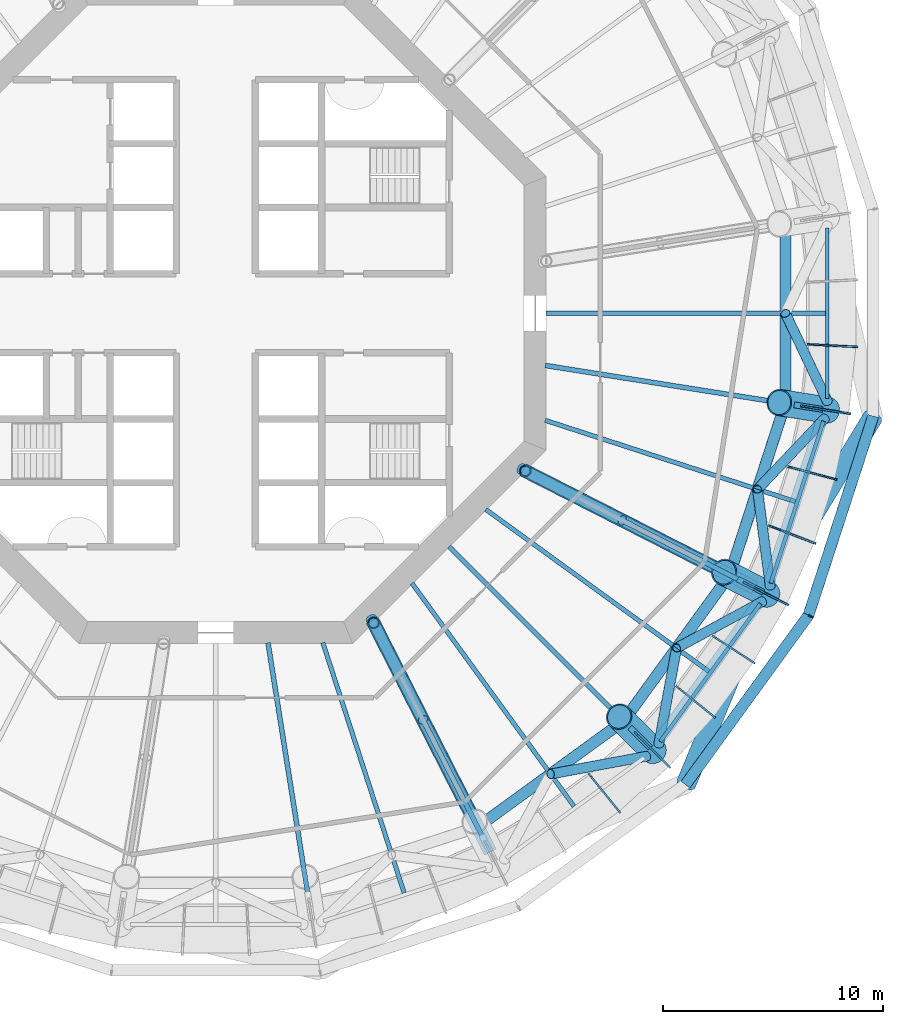
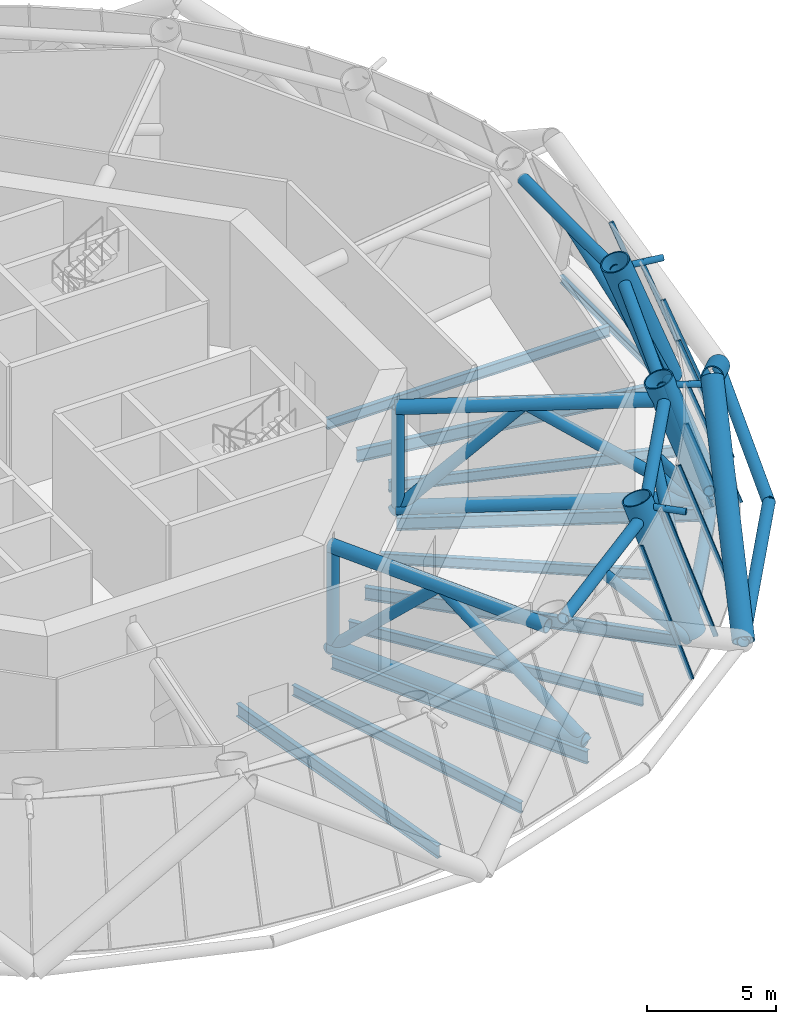
# One storey, part 3 of 15: 41 members, 13 beams, 4 elements without a shape of their own.
"""IFC4 building model written with IfcOpenShell, lengths in metres."""

from ifc_helpers import new_model, si_unit, direction, frame, origin, origin_2d, place, context, subcontext, project, spatial, rectangle, circle, hollow_circle, i_section, extrude, material, layer, layer_set, material_profile, profile_set, type_object, element, aggregate, save


model = new_model("IFC4")

# Units and contexts
model_context = context("Model", 3, precision=1e-05, world=origin(), true_north=direction((0.0, 1.0)))
body_context = subcontext(model_context, "Body", "Model", "MODEL_VIEW")
ifc_project = project(units=[si_unit("LENGTHUNIT", "METRE"), si_unit("AREAUNIT", "SQUARE_METRE"), si_unit("VOLUMEUNIT", "CUBIC_METRE"), si_unit("PLANEANGLEUNIT", "RADIAN"), si_unit("MASSUNIT", "GRAM", prefix="KILO")], contexts=[model_context])

# Site, building, storey
site_placement = place(None, origin())
site = spatial("IfcSite", under=ifc_project, at=site_placement, CompositionType="ELEMENT")
building_placement = place(site_placement, origin())
building = spatial("IfcBuilding", under=site, at=building_placement, Name="Entoto Ring Tower", CompositionType="ELEMENT")
storey_placement = place(building_placement, frame((0.0, 0.0, 200.0)))
storey = spatial("IfcBuildingStorey", under=building, at=storey_placement, Name="L46", CompositionType="ELEMENT", Elevation=200.0)

# Members
ifc_material_1 = material(Name="Steel S355", Category="steel")
ifc_material_profile_1 = material_profile(ifc_material_1, hollow_circle(Radius=0.449951171875, WallThickness=0.044921875, at=origin_2d()), Name="CHS 900 x 45")
ifc_material_2 = material(Name="Concrete C60/75", Category="concrete")
ifc_material_profile_2 = material_profile(ifc_material_2, circle(Radius=0.405029296875, at=origin_2d()), Name="Concrete C60/75 infill")
ifc_profile_set_1 = profile_set([ifc_material_profile_1, ifc_material_profile_2], Name="Steel S355")
member_type_1 = type_object("IfcMemberType", Name="Diagrid diagonal 900 x 45 concrete-filled tube", PredefinedType="BRACE", material=ifc_profile_set_1)
member_1_placement = place(storey_placement, frame((111.354736328125, 58.645263671875, 0.0), z_axis=(0.323207345717, 0.777375260078, 0.539652403584), x_axis=(-0.923371430123, 0.383907804078, 0.0)))
element("IfcMember", 1, at=member_1_placement, inside=storey, type_object=member_type_1, Name="DG2 module 14 18", PredefinedType="BRACE", context=body_context, shape_type="SweptSolid", body=[
    extrude(hollow_circle(Radius=0.449951171875, WallThickness=0.044921875, at=origin_2d()), origin(), (0.0, 0.0, 1.0), 11.1181640625),
])
member_2_placement = place(storey_placement, frame((119.828125, 75.275634765625, 0.0), z_axis=(-0.438916670262, -0.718410935775, 0.539664603179), x_axis=(0.853341145652, -0.521352941047, 0.0)))
element("IfcMember", 2, at=member_2_placement, inside=storey, type_object=member_type_1, Name="DG2 module 14 19", PredefinedType="BRACE", context=body_context, shape_type="SweptSolid", body=[
    extrude(hollow_circle(Radius=0.449951171875, WallThickness=0.044921875, at=origin_2d()), origin(), (0.0, 0.0, 1.0), 11.117919921875),
])
ifc_material_3 = material(Name="Steel S355", Category="steel")
ifc_material_profile_3 = material_profile(ifc_material_3, hollow_circle(Radius=0.136474609375, WallThickness=0.012451171875, at=origin_2d()), Name="CHS 273 x 12.5")
ifc_material_4 = material(Name="Concrete C60/75", Category="concrete")
ifc_material_profile_4 = material_profile(ifc_material_4, circle(Radius=0.1240234375, at=origin_2d()), Name="Concrete C60/75 infill")
ifc_profile_set_2 = profile_set([ifc_material_profile_3, ifc_material_profile_4], Name="Steel S355")
member_type_2 = type_object("IfcMemberType", Name="Diagrid node strut 273 x 12.5", PredefinedType="STRUT", material=ifc_profile_set_2)
member_3_placement = place(storey_placement, frame((108.798583984375, 61.201416015625, 5.71337890625), z_axis=(0.707106781187, -0.707106781187, 0.0), x_axis=(0.707106781187, 0.707106781187, 0.0)))
element("IfcMember", 3, at=member_3_placement, inside=storey, type_object=member_type_2, Name="DS2 strut ring 14 18", PredefinedType="STRUT", context=body_context, shape_type="SweptSolid", body=[
    extrude(hollow_circle(Radius=0.136474609375, WallThickness=0.012451171875, at=origin_2d()), origin(), (0.0, 0.0, 1.0), 1.314697265625),
])
member_4_placement = place(storey_placement, frame((113.6875, 67.9306640625, 5.71337890625), z_axis=(0.891022493252, -0.453959157325, 0.0), x_axis=(0.453959157325, 0.891022493252, 0.0)))
element("IfcMember", 4, at=member_4_placement, inside=storey, type_object=member_type_2, Name="DS2 strut ring 14 19", PredefinedType="STRUT", context=body_context, shape_type="SweptSolid", body=[
    extrude(hollow_circle(Radius=0.136474609375, WallThickness=0.012451171875, at=origin_2d()), origin(), (0.0, 0.0, 1.0), 1.31494140625),
])
member_5_placement = place(storey_placement, frame((116.2578125, 75.841064453125, 5.71337890625), z_axis=(0.987701157576, -0.156353520338, 0.0), x_axis=(0.156353520338, 0.987701157576, 0.0)))
element("IfcMember", 5, at=member_5_placement, inside=storey, type_object=member_type_2, Name="DS2 strut ring 14 20", PredefinedType="STRUT", context=body_context, shape_type="SweptSolid", body=[
    extrude(hollow_circle(Radius=0.136474609375, WallThickness=0.012451171875, at=origin_2d()), origin(), (0.0, 0.0, 1.0), 1.314697265625),
])
ifc_material_5 = material(Name="Steel S355", Category="steel")
ifc_material_profile_5 = material_profile(ifc_material_5, hollow_circle(Radius=0.25390625, WallThickness=0.030029296875, at=origin_2d()), Name="CHS 508 x 30")
ifc_material_6 = material(Name="Concrete C60/75", Category="concrete")
ifc_material_profile_6 = material_profile(ifc_material_6, circle(Radius=0.22412109375, at=origin_2d()), Name="Concrete C60/75 infill")
ifc_profile_set_3 = profile_set([ifc_material_profile_5, ifc_material_profile_6], Name="Steel S355")
member_type_3 = type_object("IfcMemberType", Name="Diagrid ring beam 508 x 30", PredefinedType="CHORD", material=ifc_profile_set_3)
for number, where, z_axis, x_axis, name in (
    (6, (111.3193359375, 58.5966796875, 0.0), (0.587786303985, 0.809016230274, 0.0), (-0.809016230274, 0.587786303985, 0.0), "DR2 ring 13 17"),
    (7, (116.889892578125, 66.232177734375, 0.0), (0.308993189852, 0.951064250524, 0.0), (-0.951064250524, 0.308993189852, 0.0), "DR2 ring 13 18"),
):
    element("IfcMember", number, at=place(storey_placement, frame(where, z_axis=z_axis, x_axis=x_axis)), inside=storey, type_object=member_type_3, Name=name, PredefinedType="CHORD", context=body_context, shape_type="SweptSolid", body=[
        extrude(hollow_circle(Radius=0.25390625, WallThickness=0.030029296875, at=origin_2d()), origin(), (0.0, 0.0, 1.0), 9.569091796875),
    ])

# Beams
ifc_material_7 = material(Name="Steel S355", Category="steel")
ifc_material_profile_7 = material_profile(ifc_material_7, i_section(OverallWidth=0.169921875, OverallDepth=0.360107421875, WebThickness=0.008056640625, FlangeThickness=0.0126953125, FilletRadius=0.01806640625, at=origin_2d()), Name="IPE 360")
ifc_profile_set_4 = profile_set([ifc_material_profile_7], Name="Steel S355")
beam_type_1 = type_object("IfcBeamType", Name="Edge beam IPE 360", PredefinedType="SPANDREL", material=ifc_profile_set_4)
for number, where, z_axis, x_axis, name in (
    (8, (110.17724609375, 60.5537109375, -0.330078125), (0.587791153253, 0.809012707043, 0.0), (-0.809012707043, 0.587791153253, 0.0), "Edge beam L46 18"),
    (9, (115.198974609375, 67.740478515625, -0.330078125), (0.309012656105, 0.951057925874, 0.0), (-0.951057925874, 0.309012656105, 0.0), "Edge beam L46 19"),
    (10, (117.754150390625, 76.12744140625, -0.330078125), (0.0, 1.0, 0.0), (-1.0, 0.0, 0.0), "Edge beam L46 20"),
):
    element("IfcBeam", number, at=place(storey_placement, frame(where, z_axis=z_axis, x_axis=x_axis)), inside=storey, type_object=beam_type_1, Name=name, PredefinedType="SPANDREL", context=body_context, shape_type="SweptSolid", body=[
        extrude(i_section(OverallWidth=0.169921875, OverallDepth=0.360107421875, WebThickness=0.008056640625, FlangeThickness=0.0126953125, FilletRadius=0.01806640625, at=origin_2d()), origin(), (0.0, 0.0, 1.0), 7.7451171875),
    ])

# Curtain wall, member
ifc_material_8 = material(Name="Anodised aluminium", Category="aluminium")
ifc_layer = layer(ifc_material_8, 0.10009765625)
ifc_layer_set = layer_set([ifc_layer], Name="Anodised aluminium")
curtain_wall_type = type_object("IfcCurtainWallType", Name="Louvre curtain wall system CW7", PredefinedType="NOTDEFINED", material=ifc_layer_set)
curtain_wall_1_placement = place(storey_placement, origin())
curtain_wall_1 = element("IfcCurtainWall", 11, at=curtain_wall_1_placement, inside=storey, type_object=curtain_wall_type, Name="CW7 L46-17", PredefinedType="NOTDEFINED")
ifc_material_9 = material(Name="Anodised aluminium", Category="aluminium")
ifc_material_profile_8 = material_profile(ifc_material_9, rectangle(XDim=0.080078125, YDim=0.199951171875, at=origin_2d()), Name="Mullion 80 x 200 mm anodised aluminium")
ifc_profile_set_5 = profile_set([ifc_material_profile_8], Name="Anodised aluminium")
member_type_4 = type_object("IfcMemberType", Name="Mullion 80 x 200 mm anodised aluminium", PredefinedType="MULLION", material=ifc_profile_set_5)
member_6_placement = place(storey_placement, frame((108.309326171875, 57.389892578125, 0.034423828125), z_axis=(-0.216641306561, 0.267510778801, 0.938884725361), x_axis=(-0.777124153348, -0.629347320868, 0.0)))
member_6 = element("IfcMember", 12, at=member_6_placement, type_object=member_type_4, Name="MULLION L46-50", PredefinedType="MULLION", context=body_context, shape_type="SweptSolid", body=[
    extrude(rectangle(XDim=0.080078125, YDim=0.199951171875, at=origin_2d()), origin(), (0.0, 0.0, 1.0), 6.157470703125),
])
aggregate(curtain_wall_1, [member_6])

# Curtain wall, members
curtain_wall_2_placement = place(storey_placement, origin())
curtain_wall_2 = element("IfcCurtainWall", 13, at=curtain_wall_2_placement, inside=storey, type_object=curtain_wall_type, Name="CW7 L46-18", PredefinedType="NOTDEFINED")
member_7_placement = place(storey_placement, frame((110.572509765625, 59.427490234375, 0.034423828125), z_axis=(-0.243439738428, 0.243439738428, 0.938868567749), x_axis=(-0.707106781187, -0.707106781187, 0.0)))
member_7 = element("IfcMember", 14, at=member_7_placement, type_object=member_type_4, Name="MULLION L46-51", PredefinedType="MULLION", context=body_context, shape_type="SweptSolid", body=[
    extrude(rectangle(XDim=0.080078125, YDim=0.199951171875, at=origin_2d()), origin(), (0.0, 0.0, 1.0), 6.15771484375),
])
member_8_placement = place(storey_placement, frame((112.610107421875, 61.690673828125, 0.034423828125), z_axis=(-0.267510778801, 0.216641306561, 0.938884725361), x_axis=(-0.629347320868, -0.777124153348, 0.0)))
member_8 = element("IfcMember", 15, at=member_8_placement, type_object=member_type_4, Name="MULLION L46-52", PredefinedType="MULLION", context=body_context, shape_type="SweptSolid", body=[
    extrude(rectangle(XDim=0.080078125, YDim=0.199951171875, at=origin_2d()), origin(), (0.0, 0.0, 1.0), 6.157470703125),
])
member_9_placement = place(storey_placement, frame((114.400146484375, 64.154296875, 0.034423828125), z_axis=(-0.288719812628, 0.187497389991, 0.938874644744), x_axis=(-0.544640161527, -0.838669836379, 0.0)))
member_9 = element("IfcMember", 16, at=member_9_placement, type_object=member_type_4, Name="MULLION L46-53", PredefinedType="MULLION", context=body_context, shape_type="SweptSolid", body=[
    extrude(rectangle(XDim=0.080078125, YDim=0.199951171875, at=origin_2d()), origin(), (0.0, 0.0, 1.0), 6.15771484375),
])
aggregate(curtain_wall_2, [member_7, member_8, member_9])

curtain_wall_3_placement = place(storey_placement, origin())
curtain_wall_3 = element("IfcCurtainWall", 17, at=curtain_wall_3_placement, inside=storey, type_object=curtain_wall_type, Name="CW7 L46-19", PredefinedType="NOTDEFINED")
member_10_placement = place(storey_placement, frame((115.9228515625, 66.791748046875, 0.034423828125), z_axis=(-0.30672352053, 0.156256126475, 0.938884819822), x_axis=(-0.453927506851, -0.891038617863, 0.0)))
member_10 = element("IfcMember", 18, at=member_10_placement, type_object=member_type_4, Name="MULLION L46-54", PredefinedType="MULLION", context=body_context, shape_type="SweptSolid", body=[
    extrude(rectangle(XDim=0.080078125, YDim=0.199951171875, at=origin_2d()), origin(), (0.0, 0.0, 1.0), 6.157470703125),
])
member_11_placement = place(storey_placement, frame((117.161376953125, 69.57373046875, 0.034423828125), z_axis=(-0.321355925032, 0.123348338405, 0.938890598983), x_axis=(-0.358346063241, -0.933588827568, 0.0)))
member_11 = element("IfcMember", 19, at=member_11_placement, type_object=member_type_4, Name="MULLION L46-55", PredefinedType="MULLION", context=body_context, shape_type="SweptSolid", body=[
    extrude(rectangle(XDim=0.080078125, YDim=0.199951171875, at=origin_2d()), origin(), (0.0, 0.0, 1.0), 6.157470703125),
])
member_12_placement = place(storey_placement, frame((118.1025390625, 72.469970703125, 0.034423828125), z_axis=(-0.332531368364, 0.089090018447, 0.938874782741), x_axis=(-0.258787896113, -0.965934172097, 0.0)))
member_12 = element("IfcMember", 20, at=member_12_placement, type_object=member_type_4, Name="MULLION L46-56", PredefinedType="MULLION", context=body_context, shape_type="SweptSolid", body=[
    extrude(rectangle(XDim=0.080078125, YDim=0.199951171875, at=origin_2d()), origin(), (0.0, 0.0, 1.0), 6.15771484375),
])
aggregate(curtain_wall_3, [member_10, member_11, member_12])

curtain_wall_4_placement = place(storey_placement, origin())
curtain_wall_4 = element("IfcCurtainWall", 21, at=curtain_wall_4_placement, inside=storey, type_object=curtain_wall_type, Name="CW7 L46-20", PredefinedType="NOTDEFINED")
member_13_placement = place(storey_placement, frame((118.735595703125, 75.44873046875, 0.034423828125), z_axis=(-0.339989545679, 0.053843242336, 0.938886582119), x_axis=(-0.156417995192, -0.987690949022, 0.0)))
member_13 = element("IfcMember", 22, at=member_13_placement, type_object=member_type_4, Name="MULLION L46-57", PredefinedType="MULLION", context=body_context, shape_type="SweptSolid", body=[
    extrude(rectangle(XDim=0.080078125, YDim=0.199951171875, at=origin_2d()), origin(), (0.0, 0.0, 1.0), 6.157470703125),
])
member_14_placement = place(storey_placement, frame((119.053955078125, 78.477294921875, 0.034423828125), z_axis=(-0.343755886761, 0.018040245499, 0.938885743773), x_axis=(-0.052407696247, -0.998625772436, 0.0)))
member_14 = element("IfcMember", 23, at=member_14_placement, type_object=member_type_4, Name="MULLION L46-58", PredefinedType="MULLION", context=body_context, shape_type="SweptSolid", body=[
    extrude(rectangle(XDim=0.080078125, YDim=0.199951171875, at=origin_2d()), origin(), (0.0, 0.0, 1.0), 6.157470703125),
])
aggregate(curtain_wall_4, [member_13, member_14])

# Members
ifc_material_10 = material(Name="Steel S355", Category="steel")
ifc_material_profile_9 = material_profile(ifc_material_10, hollow_circle(Radius=0.304931640625, WallThickness=0.030029296875, at=origin_2d()), Name="CHS 610 x 30")
ifc_material_11 = material(Name="Concrete C60/75", Category="concrete")
ifc_material_profile_10 = material_profile(ifc_material_11, circle(Radius=0.27490234375, at=origin_2d()), Name="Concrete C60/75 infill")
ifc_profile_set_6 = profile_set([ifc_material_profile_9, ifc_material_profile_10], Name="Steel S355")
member_type_5 = type_object("IfcMemberType", Name="Outrigger chord 610 x 30", PredefinedType="CHORD", material=ifc_profile_set_6)
member_15_placement = place(storey_placement, frame((97.106201171875, 66.05322265625, 0.304931640625), z_axis=(0.453992388854, -0.891005561634, 0.0), x_axis=(0.891005561634, 0.453992388854, 0.0)))
element("IfcMember", 24, at=member_15_placement, inside=storey, type_object=member_type_5, Name="OR1B L46 bottom 09", PredefinedType="CHORD", context=body_context, shape_type="SweptSolid", body=[
    extrude(hollow_circle(Radius=0.304931640625, WallThickness=0.030029296875, at=origin_2d()), origin(), (0.0, 0.0, 1.0), 11.804931640625),
])
member_16_placement = place(storey_placement, frame((97.106201171875, 66.05322265625, 5.044921875), z_axis=(0.453991173324, -0.891006180979, 0.0), x_axis=(0.891006180979, 0.453991173324, 0.0)))
element("IfcMember", 25, at=member_16_placement, inside=storey, type_object=member_type_5, Name="OR1B L46 top 09", PredefinedType="CHORD", context=body_context, shape_type="SweptSolid", body=[
    extrude(hollow_circle(Radius=0.304931640625, WallThickness=0.030029296875, at=origin_2d()), origin(), (0.0, 0.0, 1.0), 10.06689453125),
])
member_17_placement = place(storey_placement, frame((103.94677734375, 72.893798828125, 0.304931640625), z_axis=(0.891005561634, -0.453992388854, 0.0), x_axis=(0.453992388854, 0.891005561634, 0.0)))
element("IfcMember", 26, at=member_17_placement, inside=storey, type_object=member_type_5, Name="OR1B L46 bottom 10", PredefinedType="CHORD", context=body_context, shape_type="SweptSolid", body=[
    extrude(hollow_circle(Radius=0.304931640625, WallThickness=0.030029296875, at=origin_2d()), origin(), (0.0, 0.0, 1.0), 11.804931640625),
])
member_18_placement = place(storey_placement, frame((103.94677734375, 72.893798828125, 5.044921875), z_axis=(0.891006180979, -0.453991173324, 0.0), x_axis=(0.453991173324, 0.891006180979, 0.0)))
element("IfcMember", 27, at=member_18_placement, inside=storey, type_object=member_type_5, Name="OR1B L46 top 10", PredefinedType="CHORD", context=body_context, shape_type="SweptSolid", body=[
    extrude(hollow_circle(Radius=0.304931640625, WallThickness=0.030029296875, at=origin_2d()), origin(), (0.0, 0.0, 1.0), 10.06689453125),
])
ifc_material_12 = material(Name="Steel S355", Category="steel")
ifc_material_profile_11 = material_profile(ifc_material_12, hollow_circle(Radius=0.25390625, WallThickness=0.030029296875, at=origin_2d()), Name="CHS 508 x 30")
ifc_material_13 = material(Name="Concrete C60/75", Category="concrete")
ifc_material_profile_12 = material_profile(ifc_material_13, circle(Radius=0.22412109375, at=origin_2d()), Name="Concrete C60/75 infill")
ifc_profile_set_7 = profile_set([ifc_material_profile_11, ifc_material_profile_12], Name="Steel S355")
member_type_6 = type_object("IfcMemberType", Name="Outrigger diagonal 508 x 30", PredefinedType="BRACE", material=ifc_profile_set_7)
member_19_placement = place(storey_placement, frame((97.06591796875, 66.13232421875, 0.10546875), z_axis=(0.327555738645, -0.642859366285, 0.692415390687), x_axis=(0.891005105135, 0.453993284777, 0.0)))
element("IfcMember", 28, at=member_19_placement, inside=storey, type_object=member_type_6, Name="OR2B L46 09 1", PredefinedType="BRACE", context=body_context, shape_type="SweptSolid", body=[
    extrude(hollow_circle(Radius=0.25390625, WallThickness=0.030029296875, at=origin_2d()), origin(), (0.0, 0.0, 1.0), 7.133544921875),
])
member_20_placement = place(storey_placement, frame((99.402587890625, 61.54638671875, 5.044921875), z_axis=(0.370211902678, -0.726549640122, -0.57885124821), x_axis=(0.890998403094, 0.454006437932, 0.0)))
element("IfcMember", 29, at=member_20_placement, inside=storey, type_object=member_type_6, Name="OR2B L46 09 2", PredefinedType="BRACE", context=body_context, shape_type="SweptSolid", body=[
    extrude(hollow_circle(Radius=0.25390625, WallThickness=0.030029296875, at=origin_2d()), origin(), (0.0, 0.0, 1.0), 8.3408203125),
])
member_21_placement = place(storey_placement, frame((103.86767578125, 72.93408203125, 0.10546875), z_axis=(0.642859366285, -0.327555738645, 0.692415390687), x_axis=(0.453993284777, 0.891005105135, 0.0)))
element("IfcMember", 30, at=member_21_placement, inside=storey, type_object=member_type_6, Name="OR2B L46 10 1", PredefinedType="BRACE", context=body_context, shape_type="SweptSolid", body=[
    extrude(hollow_circle(Radius=0.25390625, WallThickness=0.030029296875, at=origin_2d()), origin(), (0.0, 0.0, 1.0), 7.133544921875),
])
member_22_placement = place(storey_placement, frame((108.45361328125, 70.597412109375, 5.044921875), z_axis=(0.726549640122, -0.370211902678, -0.57885124821), x_axis=(0.454006437932, 0.890998403094, 0.0)))
element("IfcMember", 31, at=member_22_placement, inside=storey, type_object=member_type_6, Name="OR2B L46 10 2", PredefinedType="BRACE", context=body_context, shape_type="SweptSolid", body=[
    extrude(hollow_circle(Radius=0.25390625, WallThickness=0.030029296875, at=origin_2d()), origin(), (0.0, 0.0, 1.0), 8.3408203125),
])
ifc_material_14 = material(Name="Steel S355", Category="steel")
ifc_material_profile_13 = material_profile(ifc_material_14, hollow_circle(Radius=0.25390625, WallThickness=0.030029296875, at=origin_2d()), Name="CHS 508 x 30")
ifc_material_15 = material(Name="Concrete C60/75", Category="concrete")
ifc_material_profile_14 = material_profile(ifc_material_15, circle(Radius=0.22412109375, at=origin_2d()), Name="Concrete C60/75 infill")
ifc_profile_set_8 = profile_set([ifc_material_profile_13, ifc_material_profile_14], Name="Steel S355")
member_type_7 = type_object("IfcMemberType", Name="Outrigger post 508 x 30", PredefinedType="POST", material=ifc_profile_set_8)
for number, where, z_axis, x_axis, name in (
    (32, (97.160400390625, 65.947021484375, 0.304931640625), (0.0, 0.0, 1.0), (1.0, 0.0, 0.0), "OR3 L46 09"),
    (33, (104.052978515625, 72.839599609375, 0.304931640625), (0.0, 0.0, 1.0), (1.0, 0.0, 0.0), "OR3 L46 10"),
):
    element("IfcMember", number, at=place(storey_placement, frame(where, z_axis=z_axis, x_axis=x_axis)), inside=storey, type_object=member_type_7, Name=name, PredefinedType="POST", context=body_context, shape_type="SweptSolid", body=[
        extrude(hollow_circle(Radius=0.25390625, WallThickness=0.030029296875, at=origin_2d()), origin(), (0.0, 0.0, 1.0), 4.739990234375),
    ])

# Beams
ifc_material_16 = material(Name="Steel S355", Category="steel")
ifc_material_profile_15 = material_profile(ifc_material_16, i_section(OverallWidth=0.219970703125, OverallDepth=0.60009765625, WebThickness=0.011962890625, FlangeThickness=0.01904296875, FilletRadius=0.02392578125, at=origin_2d()), Name="IPE 600")
ifc_profile_set_9 = profile_set([ifc_material_profile_15], Name="Steel S355")
beam_type_2 = type_object("IfcBeamType", Name="Primary floor beam IPE 600", PredefinedType="BEAM", material=ifc_profile_set_9)
beam_1_placement = place(storey_placement, frame((92.369873046875, 65.036865234375, -0.449951171875), z_axis=(0.156441579247, -0.987687213789, 0.0), x_axis=(0.987687213789, 0.156441579247, 0.0)))
element("IfcBeam", 34, at=beam_1_placement, inside=storey, type_object=beam_type_2, Name="Primary L46 R16", PredefinedType="BEAM", context=body_context, shape_type="SweptSolid", body=[
    extrude(i_section(OverallWidth=0.219970703125, OverallDepth=0.60009765625, WebThickness=0.011962890625, FlangeThickness=0.01904296875, FilletRadius=0.02392578125, at=origin_2d()), origin(), (0.0, 0.0, 1.0), 12.431640625),
])
beam_2_placement = place(storey_placement, frame((97.135009765625, 65.996826171875, -0.449951171875), z_axis=(0.453982805399, -0.891010444609, 0.0), x_axis=(0.891010444609, 0.453982805399, 0.0)))
element("IfcBeam", 35, at=beam_2_placement, inside=storey, type_object=beam_type_2, Name="Primary L46 R17", PredefinedType="BEAM", context=body_context, shape_type="SweptSolid", body=[
    extrude(i_section(OverallWidth=0.219970703125, OverallDepth=0.60009765625, WebThickness=0.011962890625, FlangeThickness=0.01904296875, FilletRadius=0.02392578125, at=origin_2d()), origin(), (0.0, 0.0, 1.0), 11.864990234375),
])
beam_3_placement = place(storey_placement, frame((100.592529296875, 69.407470703125, -0.449951171875), z_axis=(0.707106781187, -0.707106781187, 0.0), x_axis=(0.707106781187, 0.707106781187, 0.0)))
element("IfcBeam", 36, at=beam_3_placement, inside=storey, type_object=beam_type_2, Name="Primary L46 R18", PredefinedType="BEAM", context=body_context, shape_type="SweptSolid", body=[
    extrude(i_section(OverallWidth=0.219970703125, OverallDepth=0.60009765625, WebThickness=0.011962890625, FlangeThickness=0.01904296875, FilletRadius=0.02392578125, at=origin_2d()), origin(), (0.0, 0.0, 1.0), 12.601318359375),
])
beam_4_placement = place(storey_placement, frame((104.003173828125, 72.864990234375, -0.449951171875), z_axis=(0.891010444609, -0.453982805399, 0.0), x_axis=(0.453982805399, 0.891010444609, 0.0)))
element("IfcBeam", 37, at=beam_4_placement, inside=storey, type_object=beam_type_2, Name="Primary L46 R19", PredefinedType="BEAM", context=body_context, shape_type="SweptSolid", body=[
    extrude(i_section(OverallWidth=0.219970703125, OverallDepth=0.60009765625, WebThickness=0.011962890625, FlangeThickness=0.01904296875, FilletRadius=0.02392578125, at=origin_2d()), origin(), (0.0, 0.0, 1.0), 11.864990234375),
])
beam_5_placement = place(storey_placement, frame((104.963134765625, 77.630126953125, -0.449951171875), z_axis=(0.987687213789, -0.156441579247, 0.0), x_axis=(0.156441579247, 0.987687213789, 0.0)))
element("IfcBeam", 38, at=beam_5_placement, inside=storey, type_object=beam_type_2, Name="Primary L46 R20", PredefinedType="BEAM", context=body_context, shape_type="SweptSolid", body=[
    extrude(i_section(OverallWidth=0.219970703125, OverallDepth=0.60009765625, WebThickness=0.011962890625, FlangeThickness=0.01904296875, FilletRadius=0.02392578125, at=origin_2d()), origin(), (0.0, 0.0, 1.0), 12.431640625),
])

# Members
ifc_material_17 = material(Name="Steel S355", Category="steel")
ifc_material_profile_16 = material_profile(ifc_material_17, hollow_circle(Radius=0.60009765625, WallThickness=0.054931640625, at=origin_2d()), Name="CHS 1200 x 55")
ifc_material_18 = material(Name="Concrete C60/75", Category="concrete")
ifc_material_profile_17 = material_profile(ifc_material_18, circle(Radius=0.544921875, at=origin_2d()), Name="Concrete C60/75 infill")
ifc_profile_set_10 = profile_set([ifc_material_profile_16, ifc_material_profile_17], Name="Steel S355")
member_type_8 = type_object("IfcMemberType", Name="Ring column jog 1200 x 55 concrete-filled tube", PredefinedType="STRUT", material=ifc_profile_set_10)
for number, where, z_axis, x_axis, name in (
    (39, (109.86962890625, 60.13037109375, 0.0), (-0.243428816819, 0.243428816819, 0.938874231346), (-0.707106781187, -0.707106781187, 0.0), "RJ3B R18"),
    (40, (115.037353515625, 67.242919921875, 0.0), (-0.306731822092, 0.156288439927, 0.938876729322), (-0.453992276384, -0.891005618941, 0.0), "RJ3B R19"),
    (41, (117.754150390625, 75.604248046875, 0.0), (-0.340041863298, 0.053827545825, 0.938868535267), (-0.156350040137, -0.987701708488, 0.0), "RJ3B R20"),
):
    element("IfcMember", number, at=place(storey_placement, frame(where, z_axis=z_axis, x_axis=x_axis)), inside=storey, type_object=member_type_8, Name=name, PredefinedType="STRUT", context=body_context, shape_type="SweptSolid", body=[
        extrude(hollow_circle(Radius=0.60009765625, WallThickness=0.054931640625, at=origin_2d()), origin(), (0.0, 0.0, 1.0), 6.390625),
    ])
ifc_material_19 = material(Name="Steel S355", Category="steel")
ifc_material_profile_18 = material_profile(ifc_material_19, hollow_circle(Radius=0.25390625, WallThickness=0.030029296875, at=origin_2d()), Name="CHS 508 x 30")
ifc_material_20 = material(Name="Concrete C60/75", Category="concrete")
ifc_material_profile_19 = material_profile(ifc_material_20, circle(Radius=0.22412109375, at=origin_2d()), Name="Concrete C60/75 infill")
ifc_profile_set_11 = profile_set([ifc_material_profile_18, ifc_material_profile_19], Name="Steel S355")
member_type_9 = type_object("IfcMemberType", Name="Ring truss chord 508 x 30", PredefinedType="CHORD", material=ifc_profile_set_11)
member_23_placement = place(storey_placement, frame((102.3115234375, 56.98291015625, 5.236083984375), z_axis=(0.809015537295, 0.587787257786, 0.0), x_axis=(-0.587787257786, 0.809015537295, 0.0)))
element("IfcMember", 42, at=member_23_placement, inside=storey, type_object=member_type_9, Name="BT1 L46 top 17", PredefinedType="CHORD", context=body_context, shape_type="SweptSolid", body=[
    extrude(hollow_circle(Radius=0.25390625, WallThickness=0.030029296875, at=origin_2d()), origin(), (0.0, 0.0, 1.0), 7.137939453125),
])
member_24_placement = place(storey_placement, frame((110.11328125, 60.6220703125, 0.25390625), z_axis=(0.587785626143, 0.809016722756, 0.0), x_axis=(-0.809016722756, 0.587785626143, 0.0)))
element("IfcMember", 43, at=member_24_placement, inside=storey, type_object=member_type_9, Name="BT1 L46 bottom 18", PredefinedType="CHORD", context=body_context, shape_type="SweptSolid", body=[
    extrude(hollow_circle(Radius=0.25390625, WallThickness=0.030029296875, at=origin_2d()), origin(), (0.0, 0.0, 1.0), 7.70947265625),
])
member_25_placement = place(storey_placement, frame((108.821533203125, 61.913818359375, 5.236083984375), z_axis=(0.587787257786, 0.809015537295, 0.0), x_axis=(-0.809015537295, 0.587787257786, 0.0)))
element("IfcMember", 44, at=member_25_placement, inside=storey, type_object=member_type_9, Name="BT1 L46 top 18", PredefinedType="CHORD", context=body_context, shape_type="SweptSolid", body=[
    extrude(hollow_circle(Radius=0.25390625, WallThickness=0.030029296875, at=origin_2d()), origin(), (0.0, 0.0, 1.0), 7.137939453125),
])
member_26_placement = place(storey_placement, frame((115.116943359375, 67.785888671875, 0.25390625), z_axis=(0.309017329016, 0.951056407564, 0.0), x_axis=(-0.951056407564, 0.309017329016, 0.0)))
element("IfcMember", 45, at=member_26_placement, inside=storey, type_object=member_type_9, Name="BT1 L46 bottom 19", PredefinedType="CHORD", context=body_context, shape_type="SweptSolid", body=[
    extrude(hollow_circle(Radius=0.25390625, WallThickness=0.030029296875, at=origin_2d()), origin(), (0.0, 0.0, 1.0), 7.70947265625),
])
member_27_placement = place(storey_placement, frame((113.489501953125, 68.615234375, 5.236083984375), z_axis=(0.308994809906, 0.95106372418, 0.0), x_axis=(-0.95106372418, 0.308994809906, 0.0)))
element("IfcMember", 46, at=member_27_placement, inside=storey, type_object=member_type_9, Name="BT1 L46 top 19", PredefinedType="CHORD", context=body_context, shape_type="SweptSolid", body=[
    extrude(hollow_circle(Radius=0.25390625, WallThickness=0.030029296875, at=origin_2d()), origin(), (0.0, 0.0, 1.0), 7.137939453125),
])
member_28_placement = place(storey_placement, frame((115.85791015625, 76.43115234375, 5.236083984375), z_axis=(0.0, 1.0, 0.0), x_axis=(-1.0, 0.0, 0.0)))
element("IfcMember", 47, at=member_28_placement, inside=storey, type_object=member_type_9, Name="BT1 L46 top 20", PredefinedType="CHORD", context=body_context, shape_type="SweptSolid", body=[
    extrude(hollow_circle(Radius=0.25390625, WallThickness=0.030029296875, at=origin_2d()), origin(), (0.0, 0.0, 1.0), 7.1376953125),
])
ifc_material_21 = material(Name="Steel S355", Category="steel")
ifc_material_profile_20 = material_profile(ifc_material_21, hollow_circle(Radius=0.228515625, WallThickness=0.02001953125, at=origin_2d()), Name="CHS 457 x 20")
ifc_material_22 = material(Name="Concrete C60/75", Category="concrete")
ifc_material_profile_21 = material_profile(ifc_material_22, circle(Radius=0.20849609375, at=origin_2d()), Name="Concrete C60/75 infill")
ifc_profile_set_12 = profile_set([ifc_material_profile_20, ifc_material_profile_21], Name="Steel S355")
member_type_10 = type_object("IfcMemberType", Name="Ring truss diagonal 457 x 20", PredefinedType="BRACE", material=ifc_profile_set_12)
for number, where, z_axis, x_axis, name in (
    (48, (105.19873046875, 59.08056640625, 5.236083984375), (0.632864847242, 0.117184081694, -0.765343044734), (-0.182069563069, 0.983285652394, 0.0), "BT2 L46 17 b"),
    (49, (110.111328125, 60.43701171875, -0.041748046875), (0.117184081694, 0.632864847242, 0.765343044734), (-0.983285652394, 0.182069563069, 0.0), "BT2 L46 18 a"),
    (50, (110.91943359375, 64.80126953125, 5.236083984375), (0.565672492401, 0.307016638759, -0.765346597867), (-0.477016600018, 0.878894284489, 0.0), "BT2 L46 18 b"),
    (51, (115.172119140625, 67.609130859375, -0.041748046875), (-0.084082353722, 0.638105407781, 0.765344135898), (-0.991429939305, -0.130639486565, 0.0), "BT2 L46 19 a"),
    (52, (114.59228515625, 72.009521484375, 5.236083984375), (0.4431081302, 0.466792960745, -0.765349277618), (-0.725267185496, 0.688467508052, 0.0), "BT2 L46 19 b"),
    (53, (117.769287109375, 75.994140625, -0.041748046875), (-0.277169016435, 0.580890180313, 0.76533909788), (-0.902525740577, -0.430635910713, 0.0), "BT2 L46 20 a"),
):
    element("IfcMember", number, at=place(storey_placement, frame(where, z_axis=z_axis, x_axis=x_axis)), inside=storey, type_object=member_type_10, Name=name, PredefinedType="BRACE", context=body_context, shape_type="SweptSolid", body=[
        extrude(hollow_circle(Radius=0.228515625, WallThickness=0.02001953125, at=origin_2d()), origin(), (0.0, 0.0, 1.0), 6.89599609375),
    ])

# Beams
ifc_material_23 = material(Name="Steel S355", Category="steel")
ifc_material_profile_22 = material_profile(ifc_material_23, i_section(OverallWidth=0.199951171875, OverallDepth=0.5, WebThickness=0.01025390625, FlangeThickness=0.01611328125, FilletRadius=0.02099609375, at=origin_2d()), Name="IPE 500")
ifc_profile_set_13 = profile_set([ifc_material_profile_22], Name="Steel S355")
beam_type_3 = type_object("IfcBeamType", Name="Secondary floor beam IPE 500", PredefinedType="JOIST", material=ifc_profile_set_13)
beam_6_placement = place(storey_placement, frame((94.857666015625, 65.0498046875, -0.39990234375), z_axis=(0.30901677521, -0.951056587506, 0.0), x_axis=(0.951056587506, 0.30901677521, 0.0)))
element("IfcBeam", 54, at=beam_6_placement, inside=storey, type_object=beam_type_3, Name="Secondary beam L46 16", PredefinedType="JOIST", context=body_context, shape_type="SweptSolid", body=[
    extrude(i_section(OverallWidth=0.199951171875, OverallDepth=0.5, WebThickness=0.01025390625, FlangeThickness=0.01611328125, FilletRadius=0.02099609375, at=origin_2d()), origin(), (0.0, 0.0, 1.0), 11.94970703125),
])
for number, where, z_axis, x_axis, name in (
    (55, (98.905517578125, 67.742431640625, -0.39990234375), (0.587788946436, -0.80901431041, 0.0), (0.80901431041, 0.587788946436, 0.0), "Secondary beam L46 17"),
    (56, (102.257568359375, 71.094482421875, -0.39990234375), (0.80901431041, -0.587788946436, 0.0), (0.587788946436, 0.80901431041, 0.0), "Secondary beam L46 18"),
):
    element("IfcBeam", number, at=place(storey_placement, frame(where, z_axis=z_axis, x_axis=x_axis)), inside=storey, type_object=beam_type_3, Name=name, PredefinedType="JOIST", context=body_context, shape_type="SweptSolid", body=[
        extrude(i_section(OverallWidth=0.199951171875, OverallDepth=0.5, WebThickness=0.01025390625, FlangeThickness=0.01611328125, FilletRadius=0.02099609375, at=origin_2d()), origin(), (0.0, 0.0, 1.0), 12.51806640625),
    ])
beam_7_placement = place(storey_placement, frame((104.9501953125, 75.142333984375, -0.39990234375), z_axis=(0.951056587506, -0.30901677521, 0.0), x_axis=(0.30901677521, 0.951056587506, 0.0)))
element("IfcBeam", 57, at=beam_7_placement, inside=storey, type_object=beam_type_3, Name="Secondary beam L46 19", PredefinedType="JOIST", context=body_context, shape_type="SweptSolid", body=[
    extrude(i_section(OverallWidth=0.199951171875, OverallDepth=0.5, WebThickness=0.01025390625, FlangeThickness=0.01611328125, FilletRadius=0.02099609375, at=origin_2d()), origin(), (0.0, 0.0, 1.0), 11.94970703125),
])
beam_8_placement = place(storey_placement, frame((104.97998046875, 80.0, -0.39990234375), z_axis=(1.0, 0.0, 0.0), x_axis=(0.0, 1.0, 0.0)))
element("IfcBeam", 58, at=beam_8_placement, inside=storey, type_object=beam_type_3, Name="Secondary beam L46 20", PredefinedType="JOIST", context=body_context, shape_type="SweptSolid", body=[
    extrude(i_section(OverallWidth=0.199951171875, OverallDepth=0.5, WebThickness=0.01025390625, FlangeThickness=0.01611328125, FilletRadius=0.02099609375, at=origin_2d()), origin(), (0.0, 0.0, 1.0), 12.68896484375),
])

save(model, "model.ifc")
